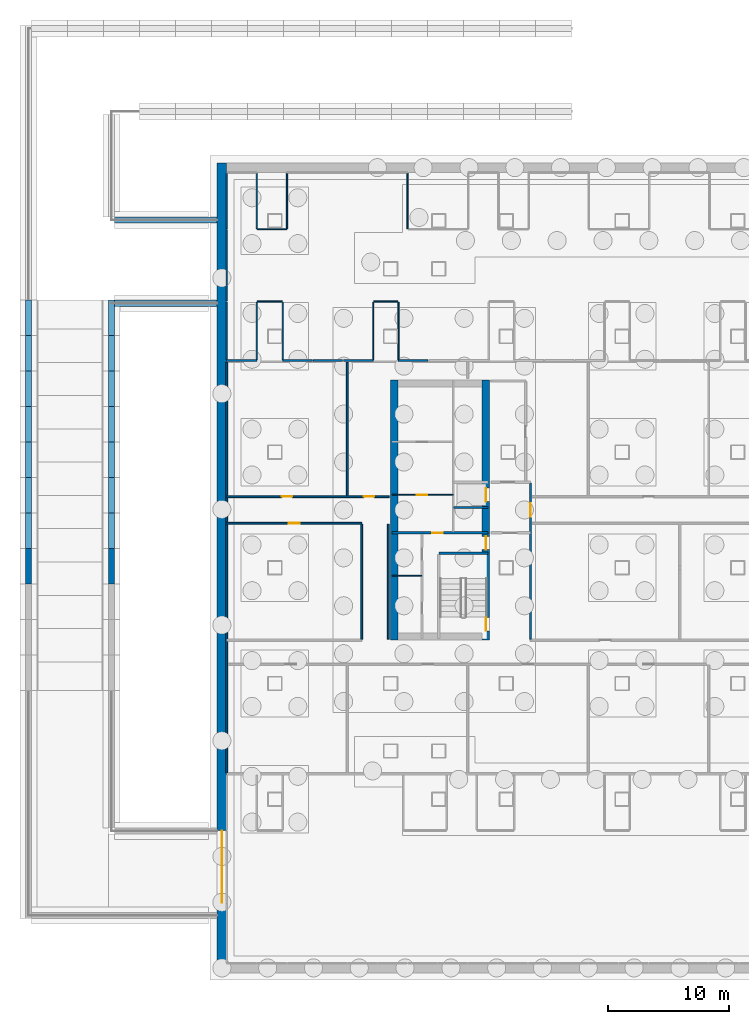
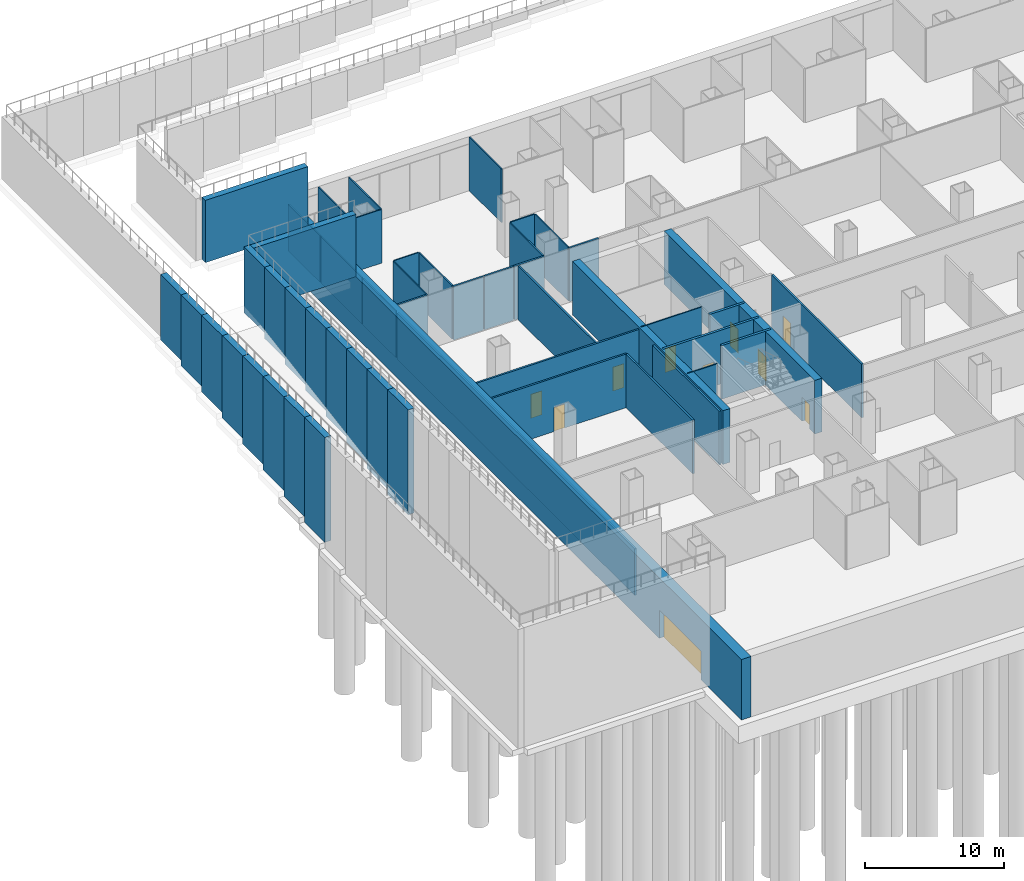
# One storey, part 8 of 17: 51 walls, 10 doors, 10 openings.
"""IFC4 building model written with IfcOpenShell, lengths in metres."""

from ifc_helpers import new_model, si_unit, direction, frame, frame_2d, origin, place, context, subcontext, project, spatial, rectangle, extrude, material, layer, layer_set, type_object, element, fill, save


model = new_model("IFC4")

# Units and contexts
model_context = context("Model", 3, precision=1e-05, world=origin(), true_north=direction((0.0, 1.0)))
body_context = subcontext(model_context, "Body", "Model", "MODEL_VIEW")
ifc_project = project(units=[si_unit("LENGTHUNIT", "METRE"), si_unit("AREAUNIT", "SQUARE_METRE"), si_unit("VOLUMEUNIT", "CUBIC_METRE"), si_unit("PLANEANGLEUNIT", "RADIAN"), si_unit("MASSUNIT", "GRAM", prefix="KILO")], contexts=[model_context])

# Site, building, storey
site_placement = place(None, origin())
site = spatial("IfcSite", under=ifc_project, at=site_placement, CompositionType="ELEMENT")
building_placement = place(site_placement, origin())
building = spatial("IfcBuilding", under=site, at=building_placement, Name="Cobrizo Arcos Hotel Tower", CompositionType="ELEMENT")
storey_placement = place(building_placement, frame((0.0, 0.0, -10.0)))
storey = spatial("IfcBuildingStorey", under=building, at=storey_placement, Name="B2", CompositionType="ELEMENT", Elevation=-10.0)

# Wall, opening, door
ifc_material_1 = material(Name="Gypsum board partition")
ifc_layer_1 = layer(ifc_material_1, 0.14990234375)
ifc_layer_set_1 = layer_set([ifc_layer_1], Name="Corridor wall EI 60 150")
wall_type_1 = type_object("IfcWallType", Name="Corridor wall EI 60 150", PredefinedType="PARTITIONING", material=ifc_layer_set_1)
wall_1_placement = place(storey_placement, frame((-37.60009765625, -1.10009765625, 0.0), z_axis=(0.0, 0.0, 1.0), x_axis=(1.0, 0.0, 0.0)))
wall_1 = element("IfcWall", 1, at=wall_1_placement, inside=storey, type_object=wall_type_1, Name="Partition 071", PredefinedType="PARTITIONING", context=body_context, shape_type="SweptSolid", body=[
    extrude(rectangle(XDim=11.2001953125, YDim=0.14990234375, at=frame_2d((5.60009765625, 0.0))), origin(), (0.0, 0.0, 1.0), 4.699951171875),
])
opening_1_placement = place(wall_1_placement, frame((5.14990234375, 0.0, 0.0)))
opening_1 = element("IfcOpeningElement", 2, at=opening_1_placement, cuts=wall_1, Name="Opening RD-21", PredefinedType="OPENING", context=body_context, shape_type="SweptSolid", body=[
    extrude(rectangle(XDim=0.89990234375, YDim=2.10009765625, at=frame_2d((0.449951171875, 1.050048828125))), frame((0.0, 0.0869140625, 0.0), z_axis=(0.0, -1.0, 0.0), x_axis=(1.0, 0.0, 0.0)), (0.0, 0.0, 1.0), 0.173828125),
])
ifc_material_2 = material(Name="Timber door leaf", Category="wood")
door_type_1 = type_object("IfcDoorType", Name="Room door FD30 900x2100", OperationType="SINGLE_SWING_LEFT", PredefinedType="DOOR", material=ifc_material_2)
door_1_placement = place(opening_1_placement, origin())
door_1 = element("IfcDoor", 3, at=door_1_placement, inside=storey, type_object=door_type_1, Name="Door RD-21", OperationType="SINGLE_SWING_LEFT", OverallHeight=2.10009765625, OverallWidth=0.89990234375, PredefinedType="DOOR", context=body_context, shape_type="SweptSolid", body=[
    extrude(rectangle(XDim=0.89990234375, YDim=2.10009765625, at=frame_2d((0.449951171875, 1.050048828125))), frame((0.0, 0.02490234375, 0.0), z_axis=(0.0, -1.0, 0.0), x_axis=(1.0, 0.0, 0.0)), (0.0, 0.0, 1.0), 0.050048828125),
])
fill(opening_1, door_1)

# Wall, openings, doors
wall_2_placement = place(storey_placement, frame((-37.60009765625, 1.10009765625, 0.0), z_axis=(0.0, 0.0, 1.0), x_axis=(1.0, 0.0, 0.0)))
wall_2 = element("IfcWall", 4, at=wall_2_placement, inside=storey, type_object=wall_type_1, Name="Partition 076", PredefinedType="PARTITIONING", context=body_context, shape_type="SweptSolid", body=[
    extrude(rectangle(XDim=13.47998046875, YDim=0.14990234375, at=frame_2d((6.739990234375, 0.0))), origin(), (0.0, 0.0, 1.0), 4.699951171875),
])
opening_2_placement = place(wall_2_placement, frame((4.550048828125, 0.0, 0.0)))
opening_2 = element("IfcOpeningElement", 5, at=opening_2_placement, cuts=wall_2, Name="Opening RD-22", PredefinedType="OPENING", context=body_context, shape_type="SweptSolid", body=[
    extrude(rectangle(XDim=0.89990234375, YDim=2.10009765625, at=frame_2d((0.449951171875, 1.050048828125))), frame((0.0, 0.0869140625, 0.0), z_axis=(0.0, -1.0, 0.0), x_axis=(1.0, 0.0, 0.0)), (0.0, 0.0, 1.0), 0.173828125),
])
opening_3_placement = place(wall_2_placement, frame((11.35009765625, 0.0, 0.0)))
opening_3 = element("IfcOpeningElement", 6, at=opening_3_placement, cuts=wall_2, Name="Opening RD-23", PredefinedType="OPENING", context=body_context, shape_type="SweptSolid", body=[
    extrude(rectangle(XDim=0.89990234375, YDim=2.10009765625, at=frame_2d((0.449951171875, 1.050048828125))), frame((0.0, 0.0869140625, 0.0), z_axis=(0.0, -1.0, 0.0), x_axis=(1.0, 0.0, 0.0)), (0.0, 0.0, 1.0), 0.173828125),
])
door_2_placement = place(opening_2_placement, origin())
door_2 = element("IfcDoor", 7, at=door_2_placement, inside=storey, type_object=door_type_1, Name="Door RD-22", OperationType="SINGLE_SWING_RIGHT", OverallHeight=2.10009765625, OverallWidth=0.89990234375, PredefinedType="DOOR", context=body_context, shape_type="SweptSolid", body=[
    extrude(rectangle(XDim=0.89990234375, YDim=2.10009765625, at=frame_2d((0.449951171875, 1.050048828125))), frame((0.0, 0.02490234375, 0.0), z_axis=(0.0, -1.0, 0.0), x_axis=(1.0, 0.0, 0.0)), (0.0, 0.0, 1.0), 0.050048828125),
])
fill(opening_2, door_2)
door_3_placement = place(opening_3_placement, origin())
door_3 = element("IfcDoor", 8, at=door_3_placement, inside=storey, type_object=door_type_1, Name="Door RD-23", OperationType="SINGLE_SWING_LEFT", OverallHeight=2.10009765625, OverallWidth=0.89990234375, PredefinedType="DOOR", context=body_context, shape_type="SweptSolid", body=[
    extrude(rectangle(XDim=0.89990234375, YDim=2.10009765625, at=frame_2d((0.449951171875, 1.050048828125))), frame((0.0, 0.02490234375, 0.0), z_axis=(0.0, -1.0, 0.0), x_axis=(1.0, 0.0, 0.0)), (0.0, 0.0, 1.0), 0.050048828125),
])
fill(opening_3, door_3)

# Walls
wall_3_placement = place(storey_placement, frame((-37.60009765625, 12.39990234375, 0.0), z_axis=(0.0, 0.0, 1.0), x_axis=(1.0, 0.0, 0.0)))
element("IfcWall", 9, at=wall_3_placement, inside=storey, type_object=wall_type_1, Name="Partition 090", PredefinedType="PARTITIONING", context=body_context, shape_type="SweptSolid", body=[
    extrude(rectangle(XDim=2.5, YDim=0.14990234375, at=frame_2d((1.25, 0.0))), origin(), (0.0, 0.0, 1.0), 4.699951171875),
])
wall_4_placement = place(storey_placement, frame((-32.949951171875, 12.39990234375, 0.0), z_axis=(0.0, 0.0, 1.0), x_axis=(1.0, 0.0, 0.0)))
element("IfcWall", 10, at=wall_4_placement, inside=storey, type_object=wall_type_1, Name="Partition 091", PredefinedType="PARTITIONING", context=body_context, shape_type="SweptSolid", body=[
    extrude(rectangle(XDim=2.449951171875, YDim=0.14990234375, at=frame_2d((1.22509765625, 0.0))), origin(), (0.0, 0.0, 1.0), 4.699951171875),
])
wall_5_placement = place(storey_placement, frame((-30.39990234375, 12.39990234375, 0.0), z_axis=(0.0, 0.0, 1.0), x_axis=(1.0, 0.0, 0.0)))
element("IfcWall", 11, at=wall_5_placement, inside=storey, type_object=wall_type_1, Name="Partition 092", PredefinedType="PARTITIONING", context=body_context, shape_type="SweptSolid", body=[
    extrude(rectangle(XDim=2.39990234375, YDim=0.14990234375, at=frame_2d((1.199951171875, 0.0))), origin(), (0.0, 0.0, 1.0), 4.699951171875),
])
wall_6_placement = place(storey_placement, frame((-27.89990234375, 12.39990234375, 0.0), z_axis=(0.0, 0.0, 1.0), x_axis=(1.0, 0.0, 0.0)))
element("IfcWall", 12, at=wall_6_placement, inside=storey, type_object=wall_type_1, Name="Partition 093", PredefinedType="PARTITIONING", context=body_context, shape_type="SweptSolid", body=[
    extrude(rectangle(XDim=2.449951171875, YDim=0.14990234375, at=frame_2d((1.22509765625, 0.0))), origin(), (0.0, 0.0, 1.0), 4.699951171875),
])
wall_7_placement = place(storey_placement, frame((-23.35009765625, 12.39990234375, 0.0), z_axis=(0.0, 0.0, 1.0), x_axis=(1.0, 0.0, 0.0)))
element("IfcWall", 13, at=wall_7_placement, inside=storey, type_object=wall_type_1, Name="Partition 094", PredefinedType="PARTITIONING", context=body_context, shape_type="SweptSolid", body=[
    extrude(rectangle(XDim=2.4501953125, YDim=0.14990234375, at=frame_2d((1.22509765625, 0.0))), origin(), (0.0, 0.0, 1.0), 4.699951171875),
])
wall_8_placement = place(storey_placement, frame((-37.60009765625, -21.824951171875, 0.0), z_axis=(0.0, 0.0, 1.0), x_axis=(0.0, 1.0, 0.0)))
element("IfcWall", 14, at=wall_8_placement, inside=storey, type_object=wall_type_1, Name="Partition 144", PredefinedType="PARTITIONING", context=body_context, shape_type="SweptSolid", body=[
    extrude(rectangle(XDim=34.074951171875, YDim=0.14990234375, at=frame_2d((17.03759765625, 0.0))), origin(), (0.0, 0.0, 1.0), 4.077880859375),
])
wall_9_placement = place(storey_placement, frame((-27.60009765625, 1.175048828125, 0.0), z_axis=(0.0, 0.0, 1.0), x_axis=(0.0, 1.0, 0.0)))
element("IfcWall", 15, at=wall_9_placement, inside=storey, type_object=wall_type_1, Name="Partition 155", PredefinedType="PARTITIONING", context=body_context, shape_type="SweptSolid", body=[
    extrude(rectangle(XDim=11.074951171875, YDim=0.14990234375, at=frame_2d((5.53759765625, 0.0))), origin(), (0.0, 0.0, 1.0), 4.699951171875),
])
for number, where, z_axis, x_axis, name in (
    (16, (-26.39990234375, -10.72509765625, 0.0), (0.0, 0.0, 1.0), (0.0, 1.0, 0.0), "Partition 156"),
    (17, (-24.199951171875, -10.72509765625, 0.0), (0.0, 0.0, 1.0), (0.0, 1.0, 0.0), "Partition 158"),
):
    element("IfcWall", number, at=place(storey_placement, frame(where, z_axis=z_axis, x_axis=x_axis)), inside=storey, type_object=wall_type_1, Name=name, PredefinedType="PARTITIONING", context=body_context, shape_type="SweptSolid", body=[
        extrude(rectangle(XDim=9.550048828125, YDim=0.14990234375, at=frame_2d((4.77490234375, 0.0))), origin(), (0.0, 0.0, 1.0), 4.699951171875),
    ])

# Wall, opening, door
wall_10_placement = place(storey_placement, frame((-12.39990234375, -10.72509765625, 0.0), z_axis=(0.0, 0.0, 1.0), x_axis=(0.0, 1.0, 0.0)))
wall_10 = element("IfcWall", 18, at=wall_10_placement, inside=storey, type_object=wall_type_1, Name="Partition 178", PredefinedType="PARTITIONING", context=body_context, shape_type="SweptSolid", body=[
    extrude(rectangle(XDim=12.925048828125, YDim=0.14990234375, at=frame_2d((6.46240234375, 0.0))), origin(), (0.0, 0.0, 1.0), 4.699951171875),
])
opening_4_placement = place(wall_10_placement, frame((10.175048828125, 0.0, 0.0)))
opening_4 = element("IfcOpeningElement", 19, at=opening_4_placement, cuts=wall_10, Name="Opening FD-03", PredefinedType="OPENING", context=body_context, shape_type="SweptSolid", body=[
    extrude(rectangle(XDim=1.10009765625, YDim=2.10009765625, at=frame_2d((0.550048828125, 1.050048828125))), frame((0.0, 0.0869140625, 0.0), z_axis=(0.0, -1.0, 0.0), x_axis=(1.0, 0.0, 0.0)), (0.0, 0.0, 1.0), 0.173828125),
])
ifc_material_3 = material(Name="Steel door leaf", Category="steel")
door_type_2 = type_object("IfcDoorType", Name="Fire door FD60 1100x2100", OperationType="SINGLE_SWING_LEFT", PredefinedType="DOOR", material=ifc_material_3)
door_4_placement = place(opening_4_placement, origin())
door_4 = element("IfcDoor", 20, at=door_4_placement, inside=storey, type_object=door_type_2, Name="Door FD-03", OperationType="SINGLE_SWING_RIGHT", OverallHeight=2.10009765625, OverallWidth=1.10009765625, PredefinedType="DOOR", context=body_context, shape_type="SweptSolid", body=[
    extrude(rectangle(XDim=1.10009765625, YDim=2.10009765625, at=frame_2d((0.550048828125, 1.050048828125))), frame((0.0, 0.02490234375, 0.0), z_axis=(0.0, -1.0, 0.0), x_axis=(1.0, 0.0, 0.0)), (0.0, 0.0, 1.0), 0.050048828125),
])
fill(opening_4, door_4)

# Wall
ifc_layer_2 = layer(ifc_material_1, 0.10009765625)
ifc_layer_set_2 = layer_set([ifc_layer_2], Name="Partition EI 30 100")
wall_type_2 = type_object("IfcWallType", Name="Partition EI 30 100", PredefinedType="PARTITIONING", material=ifc_layer_set_2)
wall_11_placement = place(storey_placement, frame((-23.8798828125, -5.449951171875, 0.0), z_axis=(0.0, 0.0, 1.0), x_axis=(1.0, 0.0, 0.0)))
element("IfcWall", 21, at=wall_11_placement, inside=storey, type_object=wall_type_2, Name="Partition 063", PredefinedType="PARTITIONING", context=body_context, shape_type="SweptSolid", body=[
    extrude(rectangle(XDim=2.47998046875, YDim=0.10009765625, at=frame_2d((1.239990234375, 0.0))), origin(), (0.0, 0.0, 1.0), 4.699951171875),
])

# Wall, opening, door
wall_12_placement = place(storey_placement, frame((-23.8798828125, 1.25, 0.0), z_axis=(0.0, 0.0, 1.0), x_axis=(1.0, 0.0, 0.0)))
wall_12 = element("IfcWall", 22, at=wall_12_placement, inside=storey, type_object=wall_type_2, Name="Partition 079", PredefinedType="PARTITIONING", context=body_context, shape_type="SweptSolid", body=[
    extrude(rectangle(XDim=5.079833984375, YDim=0.10009765625, at=frame_2d((2.5400390625, 0.0))), origin(), (0.0, 0.0, 1.0), 4.699951171875),
])
opening_5_placement = place(wall_12_placement, frame((2.030029296875, 0.0, 0.0)))
opening_5 = element("IfcOpeningElement", 23, at=opening_5_placement, cuts=wall_12, Name="Opening RD-04", PredefinedType="OPENING", context=body_context, shape_type="SweptSolid", body=[
    extrude(rectangle(XDim=0.89990234375, YDim=2.10009765625, at=frame_2d((0.449951171875, 1.050048828125))), frame((0.0, 0.06201171875, 0.0), z_axis=(0.0, -1.0, 0.0), x_axis=(1.0, 0.0, 0.0)), (0.0, 0.0, 1.0), 0.1240234375),
])
door_5_placement = place(opening_5_placement, origin())
door_5 = element("IfcDoor", 24, at=door_5_placement, inside=storey, type_object=door_type_1, Name="Door RD-04", OperationType="SINGLE_SWING_RIGHT", OverallHeight=2.10009765625, OverallWidth=0.89990234375, PredefinedType="DOOR", context=body_context, shape_type="SweptSolid", body=[
    extrude(rectangle(XDim=0.89990234375, YDim=2.10009765625, at=frame_2d((0.449951171875, 1.050048828125))), frame((0.0, 0.02490234375, 0.0), z_axis=(0.0, -1.0, 0.0), x_axis=(1.0, 0.0, 0.0)), (0.0, 0.0, 1.0), 0.050048828125),
])
fill(opening_5, door_5)

# Walls
wall_13_placement = place(storey_placement, frame((-35.050048828125, 17.300048828125, 0.0), z_axis=(0.0, 0.0, 1.0), x_axis=(1.0, 0.0, 0.0)))
element("IfcWall", 25, at=wall_13_placement, inside=storey, type_object=wall_type_2, Name="Partition 111", PredefinedType="PARTITIONING", context=body_context, shape_type="SweptSolid", body=[
    extrude(rectangle(XDim=2.050048828125, YDim=0.10009765625, at=frame_2d((1.02490234375, 0.0))), origin(), (0.0, 0.0, 1.0), 4.699951171875),
])
wall_14_placement = place(storey_placement, frame((-25.39990234375, 17.300048828125, 0.0), z_axis=(0.0, 0.0, 1.0), x_axis=(1.0, 0.0, 0.0)))
element("IfcWall", 26, at=wall_14_placement, inside=storey, type_object=wall_type_2, Name="Partition 112", PredefinedType="PARTITIONING", context=body_context, shape_type="SweptSolid", body=[
    extrude(rectangle(XDim=2.0, YDim=0.10009765625, at=frame_2d((1.0, 0.0))), origin(), (0.0, 0.0, 1.0), 4.699951171875),
])
wall_15_placement = place(storey_placement, frame((-35.050048828125, 23.300048828125, 0.0), z_axis=(0.0, 0.0, 1.0), x_axis=(1.0, 0.0, 0.0)))
element("IfcWall", 27, at=wall_15_placement, inside=storey, type_object=wall_type_2, Name="Partition 119", PredefinedType="PARTITIONING", context=body_context, shape_type="SweptSolid", body=[
    extrude(rectangle(XDim=2.449951171875, YDim=0.10009765625, at=frame_2d((1.22509765625, 0.0))), origin(), (0.0, 0.0, 1.0), 4.699951171875),
])
wall_16_placement = place(storey_placement, frame((-37.60009765625, 12.47509765625, 0.0), z_axis=(0.0, 0.0, 1.0), x_axis=(0.0, 1.0, 0.0)))
element("IfcWall", 28, at=wall_16_placement, inside=storey, type_object=wall_type_2, Name="Partition 145", PredefinedType="PARTITIONING", context=body_context, shape_type="SweptSolid", body=[
    extrude(rectangle(XDim=4.77490234375, YDim=0.10009765625, at=frame_2d((2.387451171875, 0.0))), origin(), (0.0, 0.0, 1.0), 4.077880859375),
])
wall_17_placement = place(storey_placement, frame((-37.60009765625, 17.35009765625, 0.0), z_axis=(0.0, 0.0, 1.0), x_axis=(0.0, 1.0, 0.0)))
element("IfcWall", 29, at=wall_17_placement, inside=storey, type_object=wall_type_2, Name="Partition 146", PredefinedType="PARTITIONING", context=body_context, shape_type="SweptSolid", body=[
    extrude(rectangle(XDim=5.89990234375, YDim=0.10009765625, at=frame_2d((2.949951171875, 0.0))), origin(), (0.0, 0.0, 1.0), 4.077880859375),
])
wall_18_placement = place(storey_placement, frame((-37.60009765625, 23.35009765625, 0.0), z_axis=(0.0, 0.0, 1.0), x_axis=(0.0, 1.0, 0.0)))
element("IfcWall", 30, at=wall_18_placement, inside=storey, type_object=wall_type_2, Name="Partition 147", PredefinedType="PARTITIONING", context=body_context, shape_type="SweptSolid", body=[
    extrude(rectangle(XDim=4.599853515625, YDim=0.10009765625, at=frame_2d((2.2998046875, 0.0))), origin(), (0.0, 0.0, 1.0), 4.077880859375),
])
wall_19_placement = place(storey_placement, frame((-35.10009765625, 12.47509765625, 0.0), z_axis=(0.0, 0.0, 1.0), x_axis=(0.0, 1.0, 0.0)))
element("IfcWall", 31, at=wall_19_placement, inside=storey, type_object=wall_type_2, Name="Partition 149", PredefinedType="PARTITIONING", context=body_context, shape_type="SweptSolid", body=[
    extrude(rectangle(XDim=4.77490234375, YDim=0.10009765625, at=frame_2d((2.387451171875, 0.0))), origin(), (0.0, 0.0, 1.0), 4.699951171875),
])
wall_20_placement = place(storey_placement, frame((-35.10009765625, 23.35009765625, 0.0), z_axis=(0.0, 0.0, 1.0), x_axis=(0.0, 1.0, 0.0)))
element("IfcWall", 32, at=wall_20_placement, inside=storey, type_object=wall_type_2, Name="Partition 150", PredefinedType="PARTITIONING", context=body_context, shape_type="SweptSolid", body=[
    extrude(rectangle(XDim=4.599853515625, YDim=0.10009765625, at=frame_2d((2.2998046875, 0.0))), origin(), (0.0, 0.0, 1.0), 4.699951171875),
])
wall_21_placement = place(storey_placement, frame((-32.949951171875, 12.47509765625, 0.0), z_axis=(0.0, 0.0, 1.0), x_axis=(0.0, 1.0, 0.0)))
element("IfcWall", 33, at=wall_21_placement, inside=storey, type_object=wall_type_2, Name="Partition 152", PredefinedType="PARTITIONING", context=body_context, shape_type="SweptSolid", body=[
    extrude(rectangle(XDim=4.77490234375, YDim=0.10009765625, at=frame_2d((2.387451171875, 0.0))), origin(), (0.0, 0.0, 1.0), 4.699951171875),
])
wall_22_placement = place(storey_placement, frame((-32.60009765625, 23.35009765625, 0.0), z_axis=(0.0, 0.0, 1.0), x_axis=(0.0, 1.0, 0.0)))
element("IfcWall", 34, at=wall_22_placement, inside=storey, type_object=wall_type_2, Name="Partition 153", PredefinedType="PARTITIONING", context=body_context, shape_type="SweptSolid", body=[
    extrude(rectangle(XDim=4.599853515625, YDim=0.10009765625, at=frame_2d((2.2998046875, 0.0))), origin(), (0.0, 0.0, 1.0), 4.699951171875),
])
for number, where, z_axis, x_axis, name in (
    (35, (-25.449951171875, 12.47509765625, 0.0), (0.0, 0.0, 1.0), (0.0, 1.0, 0.0), "Partition 157"),
    (36, (-23.35009765625, 12.47509765625, 0.0), (0.0, 0.0, 1.0), (0.0, 1.0, 0.0), "Partition 159"),
):
    element("IfcWall", number, at=place(storey_placement, frame(where, z_axis=z_axis, x_axis=x_axis)), inside=storey, type_object=wall_type_2, Name=name, PredefinedType="PARTITIONING", context=body_context, shape_type="SweptSolid", body=[
        extrude(rectangle(XDim=4.77490234375, YDim=0.10009765625, at=frame_2d((2.387451171875, 0.0))), origin(), (0.0, 0.0, 1.0), 4.699951171875),
    ])
wall_23_placement = place(storey_placement, frame((-22.60009765625, 23.35009765625, 0.0), z_axis=(0.0, 0.0, 1.0), x_axis=(0.0, 1.0, 0.0)))
element("IfcWall", 37, at=wall_23_placement, inside=storey, type_object=wall_type_2, Name="Partition 161", PredefinedType="PARTITIONING", context=body_context, shape_type="SweptSolid", body=[
    extrude(rectangle(XDim=4.599853515625, YDim=0.10009765625, at=frame_2d((2.2998046875, 0.0))), origin(), (0.0, 0.0, 1.0), 4.699951171875),
])

# Wall, openings, doors
ifc_material_4 = material(Name="Concrete f'c 60 MPa", Category="concrete")
ifc_layer_3 = layer(ifc_material_4, 0.60009765625)
ifc_layer_set_3 = layer_set([ifc_layer_3], Name="RC core wall 600 f'c 60")
wall_type_3 = type_object("IfcWallType", Name="RC core wall 600 f'c 60", PredefinedType="SHEAR", material=ifc_layer_set_3)
wall_24_placement = place(storey_placement, frame((-16.10009765625, -10.800048828125, 0.0), z_axis=(0.0, 0.0, 1.0), x_axis=(0.0, 1.0, 0.0)))
wall_24 = element("IfcWall", 38, at=wall_24_placement, inside=storey, type_object=wall_type_3, Name="Core wall CW1, west core, inner face, B2", PredefinedType="SHEAR", context=body_context, shape_type="SweptSolid", body=[
    extrude(rectangle(XDim=21.60009765625, YDim=0.60009765625, at=frame_2d((10.800048828125, 0.0))), origin(), (0.0, 0.0, 1.0), 4.699951171875),
])
opening_6_placement = place(wall_24_placement, frame((11.5, 0.0, 0.0)))
opening_6 = element("IfcOpeningElement", 39, at=opening_6_placement, cuts=wall_24, Name="Opening LD-01", PredefinedType="OPENING", context=body_context, shape_type="SweptSolid", body=[
    extrude(rectangle(XDim=1.10009765625, YDim=2.10009765625, at=frame_2d((0.550048828125, 1.050048828125))), frame((0.0, 0.31201171875, 0.0), z_axis=(0.0, -1.0, 0.0), x_axis=(1.0, 0.0, 0.0)), (0.0, 0.0, 1.0), 0.6240234375),
])
opening_7_placement = place(wall_24_placement, frame((0.758056640625, 0.0, 0.0)))
opening_7 = element("IfcOpeningElement", 40, at=opening_7_placement, cuts=wall_24, Name="Opening SD-01", PredefinedType="OPENING", context=body_context, shape_type="SweptSolid", body=[
    extrude(rectangle(XDim=1.10009765625, YDim=2.10009765625, at=frame_2d((0.550048828125, 1.050048828125))), frame((0.0, 0.31201171875, 0.0), z_axis=(0.0, -1.0, 0.0), x_axis=(1.0, 0.0, 0.0)), (0.0, 0.0, 1.0), 0.6240234375),
])
opening_8_placement = place(wall_24_placement, frame((7.5, 0.0, 0.0)))
opening_8 = element("IfcOpeningElement", 41, at=opening_8_placement, cuts=wall_24, Name="Opening FD-01", PredefinedType="OPENING", context=body_context, shape_type="SweptSolid", body=[
    extrude(rectangle(XDim=1.10009765625, YDim=2.10009765625, at=frame_2d((0.550048828125, 1.050048828125))), frame((0.0, 0.31201171875, 0.0), z_axis=(0.0, -1.0, 0.0), x_axis=(1.0, 0.0, 0.0)), (0.0, 0.0, 1.0), 0.6240234375),
])
door_6_placement = place(opening_8_placement, origin())
door_6 = element("IfcDoor", 42, at=door_6_placement, inside=storey, type_object=door_type_2, Name="Door FD-01", OperationType="SINGLE_SWING_RIGHT", OverallHeight=2.10009765625, OverallWidth=1.10009765625, PredefinedType="DOOR", context=body_context, shape_type="SweptSolid", body=[
    extrude(rectangle(XDim=1.10009765625, YDim=2.10009765625, at=frame_2d((0.550048828125, 1.050048828125))), frame((0.0, 0.02490234375, 0.0), z_axis=(0.0, -1.0, 0.0), x_axis=(1.0, 0.0, 0.0)), (0.0, 0.0, 1.0), 0.050048828125),
])
fill(opening_8, door_6)
door_type_3 = type_object("IfcDoorType", Name="Lift landing door 1100x2100", OperationType="SLIDING_TO_LEFT", PredefinedType="DOOR", material=ifc_material_3)
door_7_placement = place(opening_6_placement, origin())
door_7 = element("IfcDoor", 43, at=door_7_placement, inside=storey, type_object=door_type_3, Name="Lift landing door LD-01", OperationType="SLIDING_TO_LEFT", OverallHeight=2.10009765625, OverallWidth=1.10009765625, PredefinedType="DOOR", context=body_context, shape_type="SweptSolid", body=[
    extrude(rectangle(XDim=1.10009765625, YDim=2.10009765625, at=frame_2d((0.550048828125, 1.050048828125))), frame((0.0, 0.02490234375, 0.0), z_axis=(0.0, -1.0, 0.0), x_axis=(1.0, 0.0, 0.0)), (0.0, 0.0, 1.0), 0.050048828125),
])
fill(opening_6, door_7)
door_type_4 = type_object("IfcDoorType", Name="Stair door FD60S 1100x2100", OperationType="SINGLE_SWING_LEFT", PredefinedType="DOOR", material=ifc_material_3)
door_8_placement = place(opening_7_placement, origin())
door_8 = element("IfcDoor", 44, at=door_8_placement, inside=storey, type_object=door_type_4, Name="Door SD-01", OperationType="SINGLE_SWING_RIGHT", OverallHeight=2.10009765625, OverallWidth=1.10009765625, PredefinedType="DOOR", context=body_context, shape_type="SweptSolid", body=[
    extrude(rectangle(XDim=1.10009765625, YDim=2.10009765625, at=frame_2d((0.550048828125, 1.050048828125))), frame((0.0, 0.02490234375, 0.0), z_axis=(0.0, -1.0, 0.0), x_axis=(1.0, 0.0, 0.0)), (0.0, 0.0, 1.0), 0.050048828125),
])
fill(opening_7, door_8)

# Walls
wall_25_placement = place(storey_placement, frame((-23.699951171875, -10.800048828125, 0.0), z_axis=(0.0, 0.0, 1.0), x_axis=(0.0, 1.0, 0.0)))
element("IfcWall", 45, at=wall_25_placement, inside=storey, type_object=wall_type_3, Name="Core wall CW1, west core, outer face, B2", PredefinedType="SHEAR", context=body_context, shape_type="SweptSolid", body=[
    extrude(rectangle(XDim=21.60009765625, YDim=0.60009765625, at=frame_2d((10.800048828125, 0.0))), origin(), (0.0, 0.0, 1.0), 4.699951171875),
])
ifc_material_5 = material(Name="Concrete f'c 40 MPa", Category="concrete")
ifc_layer_4 = layer(ifc_material_5, 0.5)
ifc_layer_set_4 = layer_set([ifc_layer_4], Name="Ramp retaining wall 500 f'c 40")
wall_type_4 = type_object("IfcWallType", Name="Ramp retaining wall 500 f'c 40", PredefinedType="SOLIDWALL", material=ifc_layer_set_4)
for number, where, z_axis, x_axis, name in (
    (46, (-54.050048828125, -6.16357421875, 0.97265625), (0.0, 0.0, 1.0), (0.0, 1.0, 0.0), "Ramp B retaining wall west 4"),
    (47, (-47.14990234375, -6.16357421875, 0.97265625), (0.0, 0.0, 1.0), (0.0, 1.0, 0.0), "Ramp B retaining wall east 4"),
):
    element("IfcWall", number, at=place(storey_placement, frame(where, z_axis=z_axis, x_axis=x_axis)), inside=storey, type_object=wall_type_4, Name=name, PredefinedType="SOLIDWALL", context=body_context, shape_type="SweptSolid", body=[
        extrude(rectangle(XDim=2.9453125, YDim=0.5, at=frame_2d((1.47265625, 0.0))), origin(), (0.0, 0.0, 1.0), 9.17724609375),
    ])
for number, where, z_axis, x_axis, name in (
    (48, (-54.050048828125, -3.21826171875, 1.463623046875), (0.0, 0.0, 1.0), (0.0, 1.0, 0.0), "Ramp B retaining wall west 5"),
    (49, (-47.14990234375, -3.21826171875, 1.463623046875), (0.0, 0.0, 1.0), (0.0, 1.0, 0.0), "Ramp B retaining wall east 5"),
):
    element("IfcWall", number, at=place(storey_placement, frame(where, z_axis=z_axis, x_axis=x_axis)), inside=storey, type_object=wall_type_4, Name=name, PredefinedType="SOLIDWALL", context=body_context, shape_type="SweptSolid", body=[
        extrude(rectangle(XDim=2.945556640625, YDim=0.5, at=frame_2d((1.47265625, 0.0))), origin(), (0.0, 0.0, 1.0), 8.686279296875),
    ])
for number, where, z_axis, x_axis, name in (
    (50, (-54.050048828125, -0.272705078125, 1.95458984375), (0.0, 0.0, 1.0), (0.0, 1.0, 0.0), "Ramp B retaining wall west 6"),
    (51, (-47.14990234375, -0.272705078125, 1.95458984375), (0.0, 0.0, 1.0), (0.0, 1.0, 0.0), "Ramp B retaining wall east 6"),
):
    element("IfcWall", number, at=place(storey_placement, frame(where, z_axis=z_axis, x_axis=x_axis)), inside=storey, type_object=wall_type_4, Name=name, PredefinedType="SOLIDWALL", context=body_context, shape_type="SweptSolid", body=[
        extrude(rectangle(XDim=2.9453125, YDim=0.5, at=frame_2d((1.47265625, 0.0))), origin(), (0.0, 0.0, 1.0), 8.1953125),
    ])
for number, where, z_axis, x_axis, name in (
    (52, (-54.050048828125, 2.672607421875, 2.445556640625), (0.0, 0.0, 1.0), (0.0, 1.0, 0.0), "Ramp B retaining wall west 7"),
    (53, (-47.14990234375, 2.672607421875, 2.445556640625), (0.0, 0.0, 1.0), (0.0, 1.0, 0.0), "Ramp B retaining wall east 7"),
):
    element("IfcWall", number, at=place(storey_placement, frame(where, z_axis=z_axis, x_axis=x_axis)), inside=storey, type_object=wall_type_4, Name=name, PredefinedType="SOLIDWALL", context=body_context, shape_type="SweptSolid", body=[
        extrude(rectangle(XDim=2.945556640625, YDim=0.5, at=frame_2d((1.47265625, 0.0))), origin(), (0.0, 0.0, 1.0), 7.704345703125),
    ])
for number, where, z_axis, x_axis, name in (
    (54, (-54.050048828125, 5.6181640625, 2.936279296875), (0.0, 0.0, 1.0), (0.0, 1.0, 0.0), "Ramp B retaining wall west 8"),
    (55, (-47.14990234375, 5.6181640625, 2.936279296875), (0.0, 0.0, 1.0), (0.0, 1.0, 0.0), "Ramp B retaining wall east 8"),
):
    element("IfcWall", number, at=place(storey_placement, frame(where, z_axis=z_axis, x_axis=x_axis)), inside=storey, type_object=wall_type_4, Name=name, PredefinedType="SOLIDWALL", context=body_context, shape_type="SweptSolid", body=[
        extrude(rectangle(XDim=2.945556640625, YDim=0.5, at=frame_2d((1.47265625, 0.0))), origin(), (0.0, 0.0, 1.0), 7.213623046875),
    ])
for number, where, z_axis, x_axis, name in (
    (56, (-54.050048828125, 8.563720703125, 3.42724609375), (0.0, 0.0, 1.0), (0.0, 1.0, 0.0), "Ramp B retaining wall west 9"),
    (57, (-47.14990234375, 8.563720703125, 3.42724609375), (0.0, 0.0, 1.0), (0.0, 1.0, 0.0), "Ramp B retaining wall east 9"),
):
    element("IfcWall", number, at=place(storey_placement, frame(where, z_axis=z_axis, x_axis=x_axis)), inside=storey, type_object=wall_type_4, Name=name, PredefinedType="SOLIDWALL", context=body_context, shape_type="SweptSolid", body=[
        extrude(rectangle(XDim=2.9453125, YDim=0.5, at=frame_2d((1.47265625, 0.0))), origin(), (0.0, 0.0, 1.0), 6.72265625),
    ])
for number, where, z_axis, x_axis, name in (
    (58, (-54.050048828125, 11.509033203125, 3.918212890625), (0.0, 0.0, 1.0), (0.0, 1.0, 0.0), "Ramp B retaining wall west 10"),
    (59, (-47.14990234375, 11.509033203125, 3.918212890625), (0.0, 0.0, 1.0), (0.0, 1.0, 0.0), "Ramp B retaining wall east 10"),
):
    element("IfcWall", number, at=place(storey_placement, frame(where, z_axis=z_axis, x_axis=x_axis)), inside=storey, type_object=wall_type_4, Name=name, PredefinedType="SOLIDWALL", context=body_context, shape_type="SweptSolid", body=[
        extrude(rectangle(XDim=2.945556640625, YDim=0.5, at=frame_2d((1.47265625, 0.0))), origin(), (0.0, 0.0, 1.0), 6.231689453125),
    ])
for number, where, z_axis, x_axis, name in (
    (60, (-54.050048828125, 14.45458984375, 4.4091796875), (0.0, 0.0, 1.0), (0.0, 1.0, 0.0), "Ramp B retaining wall west 11"),
    (61, (-47.14990234375, 14.45458984375, 4.4091796875), (0.0, 0.0, 1.0), (0.0, 1.0, 0.0), "Ramp B retaining wall east 11"),
):
    element("IfcWall", number, at=place(storey_placement, frame(where, z_axis=z_axis, x_axis=x_axis)), inside=storey, type_object=wall_type_4, Name=name, PredefinedType="SOLIDWALL", context=body_context, shape_type="SweptSolid", body=[
        extrude(rectangle(XDim=2.9453125, YDim=0.5, at=frame_2d((1.47265625, 0.0))), origin(), (0.0, 0.0, 1.0), 5.74072265625),
    ])
for number, where, z_axis, x_axis, name in (
    (62, (-46.89990234375, 17.14990234375, 4.699951171875), (0.0, 0.0, 1.0), (1.0, 0.0, 0.0), "Ramp retaining wall B1 south"),
    (63, (-46.89990234375, 24.050048828125, 4.699951171875), (0.0, 0.0, 1.0), (1.0, 0.0, 0.0), "Ramp retaining wall B1 north"),
):
    element("IfcWall", number, at=place(storey_placement, frame(where, z_axis=z_axis, x_axis=x_axis)), inside=storey, type_object=wall_type_4, Name=name, PredefinedType="SOLIDWALL", context=body_context, shape_type="SweptSolid", body=[
        extrude(rectangle(XDim=8.5, YDim=0.5, at=frame_2d((4.25, 0.0))), origin(), (0.0, 0.0, 1.0), 5.449951171875),
    ])

# Wall, opening, door
ifc_layer_5 = layer(ifc_material_5, 0.800048828125)
ifc_layer_set_5 = layer_set([ifc_layer_5], Name="Retaining wall 800 f'c 40")
wall_type_5 = type_object("IfcWallType", Name="Retaining wall 800 f'c 40", PredefinedType="SOLIDWALL", material=ifc_layer_set_5)
wall_26_placement = place(storey_placement, frame((-38.0, -38.39990234375, -0.60009765625), z_axis=(0.0, 0.0, 1.0), x_axis=(0.0, 1.0, 0.0)))
wall_26 = element("IfcWall", 64, at=wall_26_placement, inside=storey, type_object=wall_type_5, Name="Retaining wall RW-B2-W, west side, B2", PredefinedType="SOLIDWALL", context=body_context, shape_type="SweptSolid", body=[
    extrude(rectangle(XDim=67.199951171875, YDim=0.800048828125, at=frame_2d((33.60009765625, 0.0))), origin(), (0.0, 0.0, 1.0), 5.300048828125),
])
opening_9_placement = place(wall_26_placement, frame((5.800048828125, 0.0, 0.0)))
opening_9 = element("IfcOpeningElement", 65, at=opening_9_placement, cuts=wall_26, Name="Opening G-02", PredefinedType="OPENING", context=body_context, shape_type="SweptSolid", body=[
    extrude(rectangle(XDim=6.0, YDim=2.5, at=frame_2d((3.0, 1.25))), frame((0.0, 0.412109375, 0.0), z_axis=(0.0, -1.0, 0.0), x_axis=(1.0, 0.0, 0.0)), (0.0, 0.0, 1.0), 0.823974609375),
])
ifc_material_6 = material(Name="Galvanised steel roller shutter", Category="steel")
door_type_5 = type_object("IfcDoorType", Name="Vehicle gate 6000 x 2500 rolling", OperationType="ROLLINGUP", PredefinedType="GATE", material=ifc_material_6)
door_9_placement = place(opening_9_placement, origin())
door_9 = element("IfcDoor", 66, at=door_9_placement, inside=storey, type_object=door_type_5, Name="Vehicle gate B2", OperationType="ROLLINGUP", OverallHeight=2.5, OverallWidth=6.0, PredefinedType="GATE", context=body_context, shape_type="SweptSolid", body=[
    extrude(rectangle(XDim=6.0, YDim=2.5, at=frame_2d((3.0, 1.25))), frame((0.0, 0.02490234375, 0.0), z_axis=(0.0, -1.0, 0.0), x_axis=(1.0, 0.0, 0.0)), (0.0, 0.0, 1.0), 0.050048828125),
])
fill(opening_9, door_9)

ifc_layer_6 = layer(ifc_material_1, 0.199951171875)
ifc_layer_set_6 = layer_set([ifc_layer_6], Name="Shaft wall EI 120 200")
wall_type_6 = type_object("IfcWallType", Name="Shaft wall EI 120 200", PredefinedType="PARTITIONING", material=ifc_layer_set_6)
wall_27_placement = place(storey_placement, frame((-23.8798828125, -1.89990234375, 0.0), z_axis=(0.0, 0.0, 1.0), x_axis=(1.0, 0.0, 0.0)))
wall_27 = element("IfcWall", 67, at=wall_27_placement, inside=storey, type_object=wall_type_6, Name="Partition 067", PredefinedType="PARTITIONING", context=body_context, shape_type="SweptSolid", body=[
    extrude(rectangle(XDim=7.9599609375, YDim=0.199951171875, at=frame_2d((3.97998046875, 0.0))), origin(), (0.0, 0.0, 1.0), 4.699951171875),
])
opening_10_placement = place(wall_27_placement, frame((3.320068359375, 0.0, 0.0)))
opening_10 = element("IfcOpeningElement", 68, at=opening_10_placement, cuts=wall_27, Name="Opening RD-03", PredefinedType="OPENING", context=body_context, shape_type="SweptSolid", body=[
    extrude(rectangle(XDim=0.89990234375, YDim=2.10009765625, at=frame_2d((0.449951171875, 1.050048828125))), frame((0.0, 0.112060546875, 0.0), z_axis=(0.0, -1.0, 0.0), x_axis=(1.0, 0.0, 0.0)), (0.0, 0.0, 1.0), 0.223876953125),
])
door_10_placement = place(opening_10_placement, origin())
door_10 = element("IfcDoor", 69, at=door_10_placement, inside=storey, type_object=door_type_1, Name="Door RD-03", OperationType="SINGLE_SWING_RIGHT", OverallHeight=2.10009765625, OverallWidth=0.89990234375, PredefinedType="DOOR", context=body_context, shape_type="SweptSolid", body=[
    extrude(rectangle(XDim=0.89990234375, YDim=2.10009765625, at=frame_2d((0.449951171875, 1.050048828125))), frame((0.0, 0.02490234375, 0.0), z_axis=(0.0, -1.0, 0.0), x_axis=(1.0, 0.0, 0.0)), (0.0, 0.0, 1.0), 0.050048828125),
])
fill(opening_10, door_10)

# Walls
wall_28_placement = place(storey_placement, frame((-18.800048828125, 0.199951171875, 0.0), z_axis=(0.0, 0.0, 1.0), x_axis=(1.0, 0.0, 0.0)))
element("IfcWall", 70, at=wall_28_placement, inside=storey, type_object=wall_type_6, Name="Partition 074", PredefinedType="PARTITIONING", context=body_context, shape_type="SweptSolid", body=[
    extrude(rectangle(XDim=2.880126953125, YDim=0.199951171875, at=frame_2d((1.43994140625, 0.0))), origin(), (0.0, 0.0, 1.0), 4.699951171875),
])
ifc_layer_7 = layer(ifc_material_5, 0.199951171875)
ifc_layer_set_7 = layer_set([ifc_layer_7], Name="Stair shaft wall 200")
wall_type_7 = type_object("IfcWallType", Name="Stair shaft wall 200", PredefinedType="SHEAR", material=ifc_layer_set_7)
wall_29_placement = place(storey_placement, frame((-20.0, -3.60009765625, 0.0), z_axis=(0.0, 0.0, 1.0), x_axis=(1.0, 0.0, 0.0)))
element("IfcWall", 71, at=wall_29_placement, inside=storey, type_object=wall_type_7, Name="Stair shaft wall W", PredefinedType="SHEAR", context=body_context, shape_type="SweptSolid", body=[
    extrude(rectangle(XDim=4.080078125, YDim=0.199951171875, at=frame_2d((2.0400390625, 0.0))), origin(), (0.0, 0.0, 1.0), 4.699951171875),
])

save(model, "model.ifc")
